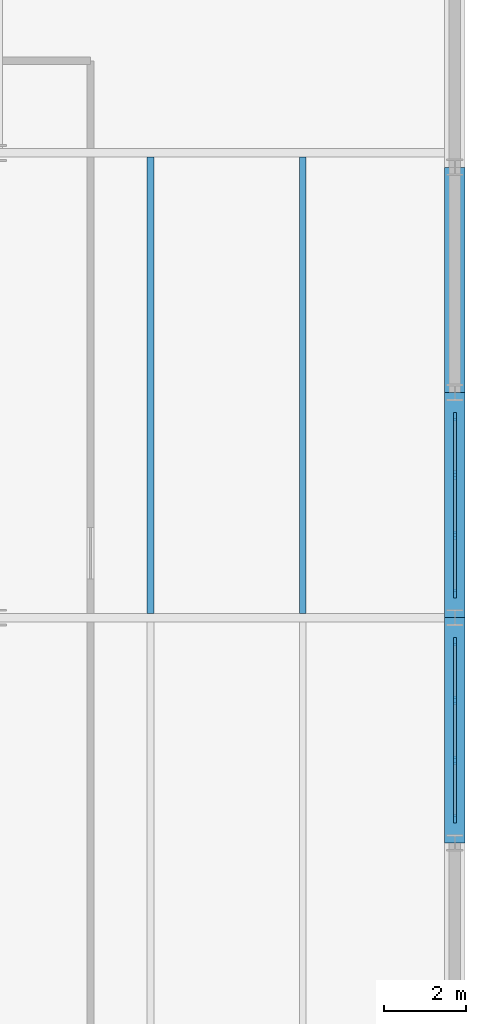
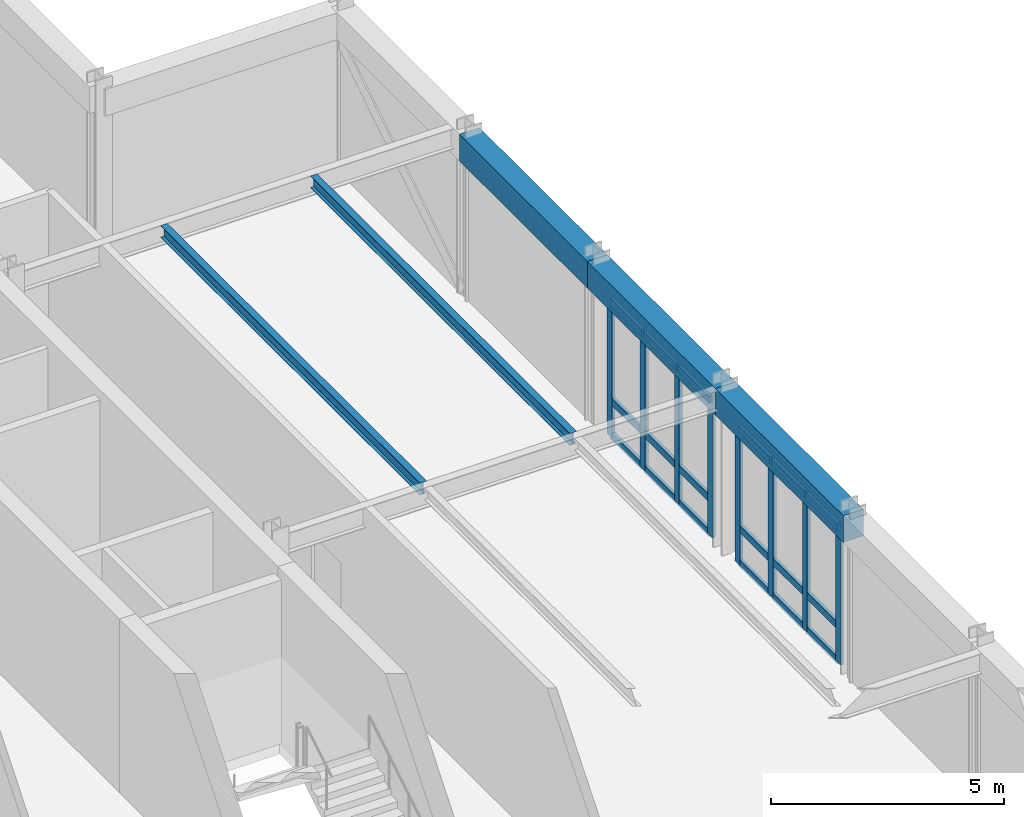
# One storey, part 4 of 9: 26 members, 5 beams, 2 elements without a shape of their own.
"""IFC4 building model written with IfcOpenShell, lengths in metres."""

from ifc_helpers import new_model, si_unit, direction, frame, origin, origin_2d, place, context, subcontext, project, spatial, rectangle, i_section, extrude, material, layer, layer_set, material_profile, profile_set, type_object, element, aggregate, save


model = new_model("IFC4")

# Units and contexts
model_context = context("Model", 3, precision=1e-05, world=origin(), true_north=direction((0.0, 1.0)))
body_context = subcontext(model_context, "Body", "Model", "MODEL_VIEW")
ifc_project = project(units=[si_unit("LENGTHUNIT", "METRE"), si_unit("AREAUNIT", "SQUARE_METRE"), si_unit("VOLUMEUNIT", "CUBIC_METRE"), si_unit("PLANEANGLEUNIT", "RADIAN"), si_unit("MASSUNIT", "GRAM", prefix="KILO")], contexts=[model_context])

# Site, building, storey
site_placement = place(None, origin())
site = spatial("IfcSite", under=ifc_project, at=site_placement, CompositionType="ELEMENT")
building_placement = place(site_placement, origin())
building = spatial("IfcBuilding", under=site, at=building_placement, Name="Nhamokura Convention Tower", CompositionType="ELEMENT")
storey_placement = place(building_placement, frame((0.0, 0.0, 322.35009765625)))
storey = spatial("IfcBuildingStorey", under=building, at=storey_placement, Name="L79", CompositionType="ELEMENT", Elevation=322.35009765625)

# Curtain wall, members
ifc_material_1 = material(Name="Anodised bronze aluminium AA6063-T6", Category="aluminium")
ifc_layer = layer(ifc_material_1, 0.2099609375)
ifc_layer_set = layer_set([ifc_layer], Name="CWSystem_SlantedCrown")
curtain_wall_type = type_object("IfcCurtainWallType", Name="CWSystem_SlantedCrown", PredefinedType="NOTDEFINED", material=ifc_layer_set)
curtain_wall_1_placement = place(storey_placement, origin())
curtain_wall_1 = element("IfcCurtainWall", 1, at=curtain_wall_1_placement, inside=storey, type_object=curtain_wall_type, Name="L79 Curtain Wall ENV-L79-CRCW-E2", PredefinedType="NOTDEFINED")
ifc_material_2 = material(Name="Anodised bronze aluminium AA6063-T6", Category="aluminium")
ifc_material_profile_1 = material_profile(ifc_material_2, rectangle(XDim=0.080078125, YDim=0.2099609375, at=origin_2d()))
ifc_profile_set_1 = profile_set([ifc_material_profile_1], Name="Anodised bronze aluminium AA6063-T6")
member_type_1 = type_object("IfcMemberType", Name="CWMullion_4", PredefinedType="MULLION", material=ifc_profile_set_1)
member_1_placement = place(storey_placement, frame((54.5, 31.409912109375, 0.0), z_axis=(0.0, 0.0, 1.0), x_axis=(1.0, 0.0, 0.0)))
member_1 = element("IfcMember", 2, at=member_1_placement, type_object=member_type_1, Name="CW-07 mullion 1", PredefinedType="MULLION", context=body_context, shape_type="SweptSolid", body=[
    extrude(rectangle(XDim=0.080078125, YDim=0.2099609375, at=origin_2d()), origin(), (0.0, 0.0, 1.0), 3.56982421875),
])
member_2_placement = place(storey_placement, frame((54.5, 29.9833984375, 0.0), z_axis=(0.0, 0.0, 1.0), x_axis=(1.0, 0.0, 0.0)))
member_2 = element("IfcMember", 3, at=member_2_placement, type_object=member_type_1, Name="CW-07 mullion 2", PredefinedType="MULLION", context=body_context, shape_type="SweptSolid", body=[
    extrude(rectangle(XDim=0.080078125, YDim=0.2099609375, at=origin_2d()), origin(), (0.0, 0.0, 1.0), 3.56982421875),
])
member_3_placement = place(storey_placement, frame((54.5, 28.5166015625, 0.0), z_axis=(0.0, 0.0, 1.0), x_axis=(1.0, 0.0, 0.0)))
member_3 = element("IfcMember", 4, at=member_3_placement, type_object=member_type_1, Name="CW-07 mullion 3", PredefinedType="MULLION", context=body_context, shape_type="SweptSolid", body=[
    extrude(rectangle(XDim=0.080078125, YDim=0.2099609375, at=origin_2d()), origin(), (0.0, 0.0, 1.0), 3.56982421875),
])
member_4_placement = place(storey_placement, frame((54.5, 27.090087890625, 0.0), z_axis=(0.0, 0.0, 1.0), x_axis=(1.0, 0.0, 0.0)))
member_4 = element("IfcMember", 5, at=member_4_placement, type_object=member_type_1, Name="CW-07 mullion 4", PredefinedType="MULLION", context=body_context, shape_type="SweptSolid", body=[
    extrude(rectangle(XDim=0.080078125, YDim=0.2099609375, at=origin_2d()), origin(), (0.0, 0.0, 1.0), 3.56982421875),
])

curtain_wall_2_placement = place(storey_placement, origin())
curtain_wall_2 = element("IfcCurtainWall", 6, at=curtain_wall_2_placement, inside=storey, type_object=curtain_wall_type, Name="L79 Curtain Wall ENV-L79-CRCW-E3", PredefinedType="NOTDEFINED")
member_5_placement = place(storey_placement, frame((54.5, 36.909912109375, 0.0), z_axis=(0.0, 0.0, 1.0), x_axis=(1.0, 0.0, 0.0)))
member_5 = element("IfcMember", 7, at=member_5_placement, type_object=member_type_1, Name="CW-07 mullion 1", PredefinedType="MULLION", context=body_context, shape_type="SweptSolid", body=[
    extrude(rectangle(XDim=0.080078125, YDim=0.2099609375, at=origin_2d()), origin(), (0.0, 0.0, 1.0), 3.56982421875),
])
member_6_placement = place(storey_placement, frame((54.5, 35.4833984375, 0.0), z_axis=(0.0, 0.0, 1.0), x_axis=(1.0, 0.0, 0.0)))
member_6 = element("IfcMember", 8, at=member_6_placement, type_object=member_type_1, Name="CW-07 mullion 2", PredefinedType="MULLION", context=body_context, shape_type="SweptSolid", body=[
    extrude(rectangle(XDim=0.080078125, YDim=0.2099609375, at=origin_2d()), origin(), (0.0, 0.0, 1.0), 3.56982421875),
])
member_7_placement = place(storey_placement, frame((54.5, 34.0166015625, 0.0), z_axis=(0.0, 0.0, 1.0), x_axis=(1.0, 0.0, 0.0)))
member_7 = element("IfcMember", 9, at=member_7_placement, type_object=member_type_1, Name="CW-07 mullion 3", PredefinedType="MULLION", context=body_context, shape_type="SweptSolid", body=[
    extrude(rectangle(XDim=0.080078125, YDim=0.2099609375, at=origin_2d()), origin(), (0.0, 0.0, 1.0), 3.56982421875),
])
member_8_placement = place(storey_placement, frame((54.5, 32.590087890625, 0.0), z_axis=(0.0, 0.0, 1.0), x_axis=(1.0, 0.0, 0.0)))
member_8 = element("IfcMember", 10, at=member_8_placement, type_object=member_type_1, Name="CW-07 mullion 4", PredefinedType="MULLION", context=body_context, shape_type="SweptSolid", body=[
    extrude(rectangle(XDim=0.080078125, YDim=0.2099609375, at=origin_2d()), origin(), (0.0, 0.0, 1.0), 3.56982421875),
])

# Member
ifc_material_3 = material(Name="Anodised bronze aluminium AA6063-T6", Category="aluminium")
ifc_material_profile_2 = material_profile(ifc_material_3, rectangle(XDim=0.080078125, YDim=0.18505859375, at=origin_2d()))
ifc_profile_set_2 = profile_set([ifc_material_profile_2], Name="Anodised bronze aluminium AA6063-T6")
member_type_2 = type_object("IfcMemberType", Name="CWTransom_4", PredefinedType="USERDEFINED", material=ifc_profile_set_2)
member_9_placement = place(storey_placement, frame((54.5, 31.3701171875, 0.039794921875), z_axis=(0.0, -1.0, 0.0), x_axis=(1.0, 0.0, 0.0)))
member_9 = element("IfcMember", 11, at=member_9_placement, type_object=member_type_2, Name="CW-07 transom 1.1", ObjectType="TRANSOM", PredefinedType="USERDEFINED", context=body_context, shape_type="SweptSolid", body=[
    extrude(rectangle(XDim=0.080078125, YDim=0.18505859375, at=origin_2d()), origin(), (0.0, 0.0, 1.0), 1.3466796875),
])

member_10_placement = place(storey_placement, frame((54.5, 31.3701171875, 0.949951171875), z_axis=(0.0, -1.0, 0.0), x_axis=(1.0, 0.0, 0.0)))
member_10 = element("IfcMember", 12, at=member_10_placement, type_object=member_type_2, Name="CW-07 transom 1.2", ObjectType="TRANSOM", PredefinedType="USERDEFINED", context=body_context, shape_type="SweptSolid", body=[
    extrude(rectangle(XDim=0.080078125, YDim=0.18505859375, at=origin_2d()), origin(), (0.0, 0.0, 1.0), 1.3466796875),
])

member_11_placement = place(storey_placement, frame((54.5, 31.3701171875, 3.52978515625), z_axis=(0.0, -1.0, 0.0), x_axis=(1.0, 0.0, 0.0)))
member_11 = element("IfcMember", 13, at=member_11_placement, type_object=member_type_2, Name="CW-07 transom 1.3", ObjectType="TRANSOM", PredefinedType="USERDEFINED", context=body_context, shape_type="SweptSolid", body=[
    extrude(rectangle(XDim=0.080078125, YDim=0.18505859375, at=origin_2d()), origin(), (0.0, 0.0, 1.0), 1.3466796875),
])

member_12_placement = place(storey_placement, frame((54.5, 29.943359375, 0.039794921875), z_axis=(0.0, -1.0, 0.0), x_axis=(1.0, 0.0, 0.0)))
member_12 = element("IfcMember", 14, at=member_12_placement, type_object=member_type_2, Name="CW-07 transom 2.1", ObjectType="TRANSOM", PredefinedType="USERDEFINED", context=body_context, shape_type="SweptSolid", body=[
    extrude(rectangle(XDim=0.080078125, YDim=0.18505859375, at=origin_2d()), origin(), (0.0, 0.0, 1.0), 1.38671875),
])

member_13_placement = place(storey_placement, frame((54.5, 29.943359375, 0.949951171875), z_axis=(0.0, -1.0, 0.0), x_axis=(1.0, 0.0, 0.0)))
member_13 = element("IfcMember", 15, at=member_13_placement, type_object=member_type_2, Name="CW-07 transom 2.2", ObjectType="TRANSOM", PredefinedType="USERDEFINED", context=body_context, shape_type="SweptSolid", body=[
    extrude(rectangle(XDim=0.080078125, YDim=0.18505859375, at=origin_2d()), origin(), (0.0, 0.0, 1.0), 1.38671875),
])

member_14_placement = place(storey_placement, frame((54.5, 29.943359375, 3.52978515625), z_axis=(0.0, -1.0, 0.0), x_axis=(1.0, 0.0, 0.0)))
member_14 = element("IfcMember", 16, at=member_14_placement, type_object=member_type_2, Name="CW-07 transom 2.3", ObjectType="TRANSOM", PredefinedType="USERDEFINED", context=body_context, shape_type="SweptSolid", body=[
    extrude(rectangle(XDim=0.080078125, YDim=0.18505859375, at=origin_2d()), origin(), (0.0, 0.0, 1.0), 1.38671875),
])

member_15_placement = place(storey_placement, frame((54.5, 28.4765625, 0.039794921875), z_axis=(0.0, -1.0, 0.0), x_axis=(1.0, 0.0, 0.0)))
member_15 = element("IfcMember", 17, at=member_15_placement, type_object=member_type_2, Name="CW-07 transom 3.1", ObjectType="TRANSOM", PredefinedType="USERDEFINED", context=body_context, shape_type="SweptSolid", body=[
    extrude(rectangle(XDim=0.080078125, YDim=0.18505859375, at=origin_2d()), origin(), (0.0, 0.0, 1.0), 1.3466796875),
])

member_16_placement = place(storey_placement, frame((54.5, 28.4765625, 0.949951171875), z_axis=(0.0, -1.0, 0.0), x_axis=(1.0, 0.0, 0.0)))
member_16 = element("IfcMember", 18, at=member_16_placement, type_object=member_type_2, Name="CW-07 transom 3.2", ObjectType="TRANSOM", PredefinedType="USERDEFINED", context=body_context, shape_type="SweptSolid", body=[
    extrude(rectangle(XDim=0.080078125, YDim=0.18505859375, at=origin_2d()), origin(), (0.0, 0.0, 1.0), 1.3466796875),
])

member_17_placement = place(storey_placement, frame((54.5, 28.4765625, 3.52978515625), z_axis=(0.0, -1.0, 0.0), x_axis=(1.0, 0.0, 0.0)))
member_17 = element("IfcMember", 19, at=member_17_placement, type_object=member_type_2, Name="CW-07 transom 3.3", ObjectType="TRANSOM", PredefinedType="USERDEFINED", context=body_context, shape_type="SweptSolid", body=[
    extrude(rectangle(XDim=0.080078125, YDim=0.18505859375, at=origin_2d()), origin(), (0.0, 0.0, 1.0), 1.3466796875),
])

aggregate(curtain_wall_1, [member_1, member_2, member_3, member_4, member_9, member_10, member_11, member_12, member_13, member_14, member_15, member_16, member_17])

member_18_placement = place(storey_placement, frame((54.5, 36.8701171875, 0.039794921875), z_axis=(0.0, -1.0, 0.0), x_axis=(1.0, 0.0, 0.0)))
member_18 = element("IfcMember", 20, at=member_18_placement, type_object=member_type_2, Name="CW-07 transom 1.1", ObjectType="TRANSOM", PredefinedType="USERDEFINED", context=body_context, shape_type="SweptSolid", body=[
    extrude(rectangle(XDim=0.080078125, YDim=0.18505859375, at=origin_2d()), origin(), (0.0, 0.0, 1.0), 1.3466796875),
])

member_19_placement = place(storey_placement, frame((54.5, 36.8701171875, 0.949951171875), z_axis=(0.0, -1.0, 0.0), x_axis=(1.0, 0.0, 0.0)))
member_19 = element("IfcMember", 21, at=member_19_placement, type_object=member_type_2, Name="CW-07 transom 1.2", ObjectType="TRANSOM", PredefinedType="USERDEFINED", context=body_context, shape_type="SweptSolid", body=[
    extrude(rectangle(XDim=0.080078125, YDim=0.18505859375, at=origin_2d()), origin(), (0.0, 0.0, 1.0), 1.3466796875),
])

member_20_placement = place(storey_placement, frame((54.5, 36.8701171875, 3.52978515625), z_axis=(0.0, -1.0, 0.0), x_axis=(1.0, 0.0, 0.0)))
member_20 = element("IfcMember", 22, at=member_20_placement, type_object=member_type_2, Name="CW-07 transom 1.3", ObjectType="TRANSOM", PredefinedType="USERDEFINED", context=body_context, shape_type="SweptSolid", body=[
    extrude(rectangle(XDim=0.080078125, YDim=0.18505859375, at=origin_2d()), origin(), (0.0, 0.0, 1.0), 1.3466796875),
])

member_21_placement = place(storey_placement, frame((54.5, 35.443359375, 0.039794921875), z_axis=(0.0, -1.0, 0.0), x_axis=(1.0, 0.0, 0.0)))
member_21 = element("IfcMember", 23, at=member_21_placement, type_object=member_type_2, Name="CW-07 transom 2.1", ObjectType="TRANSOM", PredefinedType="USERDEFINED", context=body_context, shape_type="SweptSolid", body=[
    extrude(rectangle(XDim=0.080078125, YDim=0.18505859375, at=origin_2d()), origin(), (0.0, 0.0, 1.0), 1.38671875),
])

member_22_placement = place(storey_placement, frame((54.5, 35.443359375, 0.949951171875), z_axis=(0.0, -1.0, 0.0), x_axis=(1.0, 0.0, 0.0)))
member_22 = element("IfcMember", 24, at=member_22_placement, type_object=member_type_2, Name="CW-07 transom 2.2", ObjectType="TRANSOM", PredefinedType="USERDEFINED", context=body_context, shape_type="SweptSolid", body=[
    extrude(rectangle(XDim=0.080078125, YDim=0.18505859375, at=origin_2d()), origin(), (0.0, 0.0, 1.0), 1.38671875),
])

member_23_placement = place(storey_placement, frame((54.5, 35.443359375, 3.52978515625), z_axis=(0.0, -1.0, 0.0), x_axis=(1.0, 0.0, 0.0)))
member_23 = element("IfcMember", 25, at=member_23_placement, type_object=member_type_2, Name="CW-07 transom 2.3", ObjectType="TRANSOM", PredefinedType="USERDEFINED", context=body_context, shape_type="SweptSolid", body=[
    extrude(rectangle(XDim=0.080078125, YDim=0.18505859375, at=origin_2d()), origin(), (0.0, 0.0, 1.0), 1.38671875),
])

member_24_placement = place(storey_placement, frame((54.5, 33.9765625, 0.039794921875), z_axis=(0.0, -1.0, 0.0), x_axis=(1.0, 0.0, 0.0)))
member_24 = element("IfcMember", 26, at=member_24_placement, type_object=member_type_2, Name="CW-07 transom 3.1", ObjectType="TRANSOM", PredefinedType="USERDEFINED", context=body_context, shape_type="SweptSolid", body=[
    extrude(rectangle(XDim=0.080078125, YDim=0.18505859375, at=origin_2d()), origin(), (0.0, 0.0, 1.0), 1.3466796875),
])

member_25_placement = place(storey_placement, frame((54.5, 33.9765625, 0.949951171875), z_axis=(0.0, -1.0, 0.0), x_axis=(1.0, 0.0, 0.0)))
member_25 = element("IfcMember", 27, at=member_25_placement, type_object=member_type_2, Name="CW-07 transom 3.2", ObjectType="TRANSOM", PredefinedType="USERDEFINED", context=body_context, shape_type="SweptSolid", body=[
    extrude(rectangle(XDim=0.080078125, YDim=0.18505859375, at=origin_2d()), origin(), (0.0, 0.0, 1.0), 1.3466796875),
])

member_26_placement = place(storey_placement, frame((54.5, 33.9765625, 3.52978515625), z_axis=(0.0, -1.0, 0.0), x_axis=(1.0, 0.0, 0.0)))
member_26 = element("IfcMember", 28, at=member_26_placement, type_object=member_type_2, Name="CW-07 transom 3.3", ObjectType="TRANSOM", PredefinedType="USERDEFINED", context=body_context, shape_type="SweptSolid", body=[
    extrude(rectangle(XDim=0.080078125, YDim=0.18505859375, at=origin_2d()), origin(), (0.0, 0.0, 1.0), 1.3466796875),
])

aggregate(curtain_wall_2, [member_5, member_6, member_7, member_8, member_18, member_19, member_20, member_21, member_22, member_23, member_24, member_25, member_26])

# Beams
ifc_material_4 = material(Name="Steel ASTM A992 Gr 50", Category="steel")
ifc_material_profile_3 = material_profile(ifc_material_4, i_section(OverallWidth=0.166015625, OverallDepth=0.31298828125, WebThickness=0.006591796875, FlangeThickness=0.01123046875, at=origin_2d()))
ifc_profile_set_3 = profile_set([ifc_material_profile_3], Name="Steel ASTM A992 Gr 50")
beam_type_1 = type_object("IfcBeamType", Name="FloorJoist_W310X45", PredefinedType="JOIST", material=ifc_profile_set_3)
for number, where, z_axis, x_axis, name in (
    (29, (47.066650390625, 32.1025390625, 4.13330078125), (0.0, 1.0, 0.0), (-1.0, 0.0, 0.0), "L79 Composite Floor Joist E1B"),
    (30, (50.783203125, 32.1025390625, 4.13330078125), (0.0, 1.0, 0.0), (-1.0, 0.0, 0.0), "L79 Composite Floor Joist E2B"),
):
    element("IfcBeam", number, at=place(storey_placement, frame(where, z_axis=z_axis, x_axis=x_axis)), inside=storey, type_object=beam_type_1, Name=name, PredefinedType="JOIST", context=body_context, shape_type="SweptSolid", body=[
        extrude(i_section(OverallWidth=0.166015625, OverallDepth=0.31298828125, WebThickness=0.006591796875, FlangeThickness=0.01123046875, at=origin_2d()), origin(), (0.0, 0.0, 1.0), 11.14501953125),
    ])
ifc_material_5 = material(Name="Concrete C50/60", Category="concrete")
ifc_material_profile_4 = material_profile(ifc_material_5, rectangle(XDim=0.5, YDim=0.699951171875, at=origin_2d()))
ifc_profile_set_4 = profile_set([ifc_material_profile_4], Name="Concrete C50/60")
beam_type_2 = type_object("IfcBeamType", Name="TubeSpandrel_700", PredefinedType="SPANDREL", material=ifc_profile_set_4)
for number, where, z_axis, x_axis, name in (
    (31, (54.5, 26.5, 3.93994140625), (0.0, 1.0, 0.0), (-1.0, 0.0, 0.0), "L79 Perimeter Spandrel EAST 3"),
    (32, (54.5, 32.0, 3.93994140625), (0.0, 1.0, 0.0), (-1.0, 0.0, 0.0), "L79 Perimeter Spandrel EAST 4"),
    (33, (54.5, 37.5, 3.93994140625), (0.0, 1.0, 0.0), (-1.0, 0.0, 0.0), "L79 Perimeter Spandrel EAST 5"),
):
    element("IfcBeam", number, at=place(storey_placement, frame(where, z_axis=z_axis, x_axis=x_axis)), inside=storey, type_object=beam_type_2, Name=name, PredefinedType="SPANDREL", context=body_context, shape_type="SweptSolid", body=[
        extrude(rectangle(XDim=0.5, YDim=0.699951171875, at=origin_2d()), origin(), (0.0, 0.0, 1.0), 5.5),
    ])

save(model, "model.ifc")
